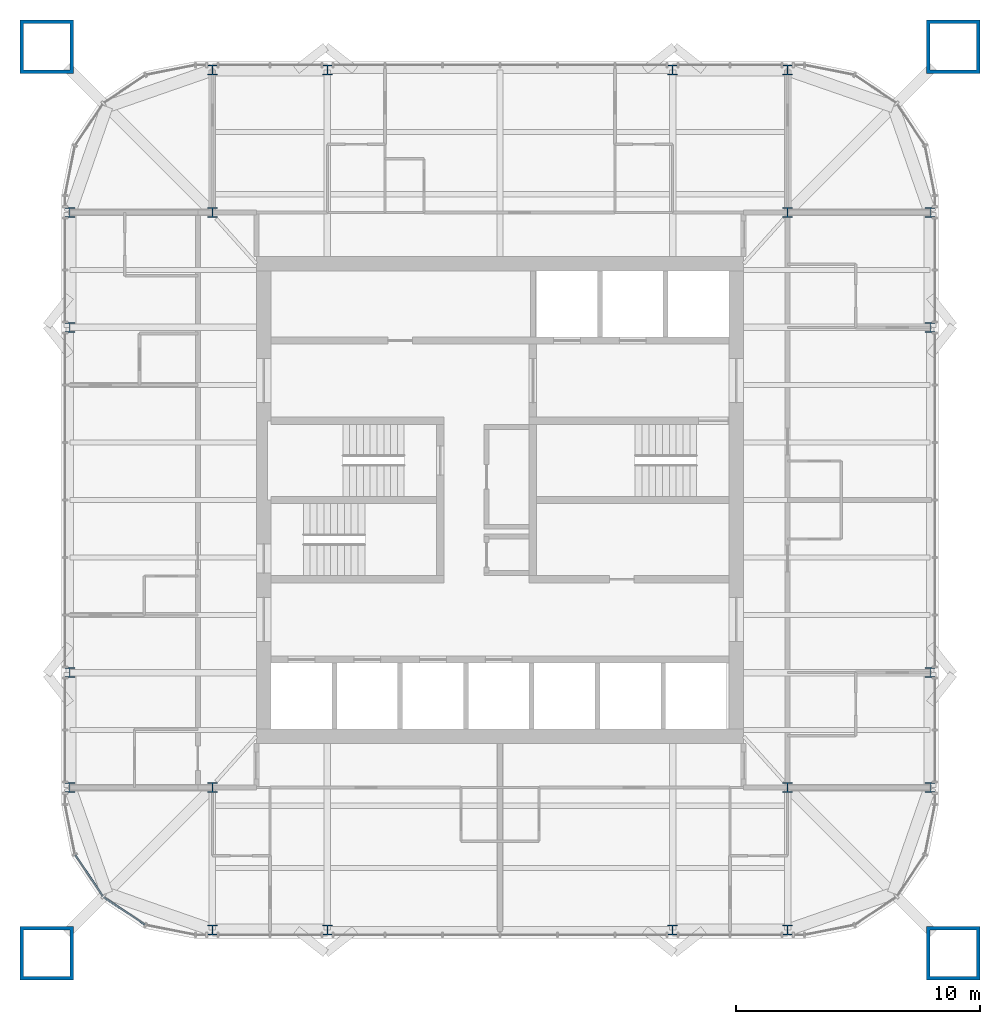
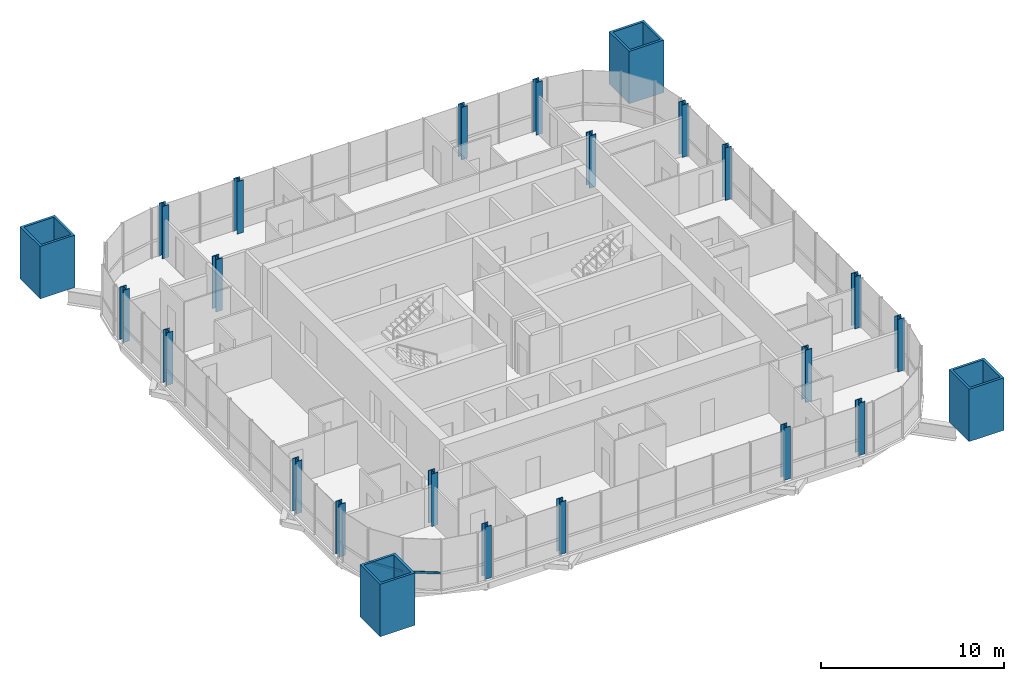
# One storey, part 1 of 17: 24 columns, 2 members, 1 element without a shape of its own.
"""IFC4 building model written with IfcOpenShell, lengths in metres."""

from ifc_helpers import new_model, si_unit, direction, frame, origin, origin_2d, place, context, subcontext, project, spatial, rectangle, hollow_rectangle, i_section, extrude, material, material_profile, profile_set, type_object, element, aggregate, save


model = new_model("IFC4")

# Units and contexts
model_context = context("Model", 3, precision=1e-05, world=origin(), true_north=direction((0.0, 1.0)))
body_context = subcontext(model_context, "Body", "Model", "MODEL_VIEW")
ifc_project = project(units=[si_unit("LENGTHUNIT", "METRE"), si_unit("AREAUNIT", "SQUARE_METRE"), si_unit("VOLUMEUNIT", "CUBIC_METRE"), si_unit("PLANEANGLEUNIT", "RADIAN"), si_unit("MASSUNIT", "GRAM", prefix="KILO")], contexts=[model_context])

# Site, building, storey
site_placement = place(None, origin())
site = spatial("IfcSite", under=ifc_project, at=site_placement, CompositionType="ELEMENT")
building_placement = place(site_placement, origin())
building = spatial("IfcBuilding", under=site, at=building_placement, Name="Turquesa Mirador Hotel Tower", CompositionType="ELEMENT")
storey_placement = place(building_placement, frame((0.0, 0.0, 240.699951171875)))
storey = spatial("IfcBuildingStorey", under=building, at=storey_placement, Name="L65", CompositionType="ELEMENT", Elevation=240.699951171875)

# Columns
ifc_material_1 = material(Name="Steel ASTM A992 Grade 50", Category="steel")
ifc_material_profile_1 = material_profile(ifc_material_1, i_section(OverallWidth=0.398681640625, OverallDepth=0.393798828125, WebThickness=0.022705078125, FlangeThickness=0.03662109375, at=origin_2d()), Name="W14X193")
ifc_profile_set_1 = profile_set([ifc_material_profile_1], Name="Steel ASTM A992 Grade 50")
column_type_1 = type_object("IfcColumnType", Name="COLUMN W14X193", PredefinedType="COLUMN", material=ifc_profile_set_1)
for number, where, z_axis, x_axis, name in (
    (1, (37.35009765625, 33.199951171875, 0.0), (0.0, 0.0, 1.0), (1.0, 0.0, 0.0), "COL-L65-P--17.65--11.80"),
    (2, (37.35009765625, 37.919921875, 0.0), (0.0, 0.0, 1.0), (1.0, 0.0, 0.0), "COL-L65-P--17.65--7.08"),
    (3, (37.35009765625, 52.080078125, 0.0), (0.0, 0.0, 1.0), (1.0, 0.0, 0.0), "COL-L65-P--17.65-+7.08"),
    (4, (37.35009765625, 56.800048828125, 0.0), (0.0, 0.0, 1.0), (1.0, 0.0, 0.0), "COL-L65-P--17.65-+11.80"),
    (5, (43.199951171875, 27.35009765625, 0.0), (0.0, 0.0, 1.0), (1.0, 0.0, 0.0), "COL-L65-P--11.80--17.65"),
    (6, (43.199951171875, 62.64990234375, 0.0), (0.0, 0.0, 1.0), (1.0, 0.0, 0.0), "COL-L65-P--11.80-+17.65"),
    (7, (47.919921875, 27.35009765625, 0.0), (0.0, 0.0, 1.0), (1.0, 0.0, 0.0), "COL-L65-P--7.08--17.65"),
    (8, (47.919921875, 62.64990234375, 0.0), (0.0, 0.0, 1.0), (1.0, 0.0, 0.0), "COL-L65-P--7.08-+17.65"),
    (9, (62.080078125, 27.35009765625, 0.0), (0.0, 0.0, 1.0), (1.0, 0.0, 0.0), "COL-L65-P-+7.08--17.65"),
    (10, (62.080078125, 62.64990234375, 0.0), (0.0, 0.0, 1.0), (1.0, 0.0, 0.0), "COL-L65-P-+7.08-+17.65"),
    (11, (66.800048828125, 27.35009765625, 0.0), (0.0, 0.0, 1.0), (1.0, 0.0, 0.0), "COL-L65-P-+11.80--17.65"),
    (12, (66.800048828125, 62.64990234375, 0.0), (0.0, 0.0, 1.0), (1.0, 0.0, 0.0), "COL-L65-P-+11.80-+17.65"),
    (13, (72.64990234375, 33.199951171875, 0.0), (0.0, 0.0, 1.0), (1.0, 0.0, 0.0), "COL-L65-P-+17.65--11.80"),
    (14, (72.64990234375, 37.919921875, 0.0), (0.0, 0.0, 1.0), (1.0, 0.0, 0.0), "COL-L65-P-+17.65--7.08"),
    (15, (72.64990234375, 52.080078125, 0.0), (0.0, 0.0, 1.0), (1.0, 0.0, 0.0), "COL-L65-P-+17.65-+7.08"),
    (16, (72.64990234375, 56.800048828125, 0.0), (0.0, 0.0, 1.0), (1.0, 0.0, 0.0), "COL-L65-P-+17.65-+11.80"),
):
    element("IfcColumn", number, at=place(storey_placement, frame(where, z_axis=z_axis, x_axis=x_axis)), inside=storey, type_object=column_type_1, Name=name, PredefinedType="COLUMN", context=body_context, shape_type="SweptSolid", body=[
        extrude(i_section(OverallWidth=0.398681640625, OverallDepth=0.393798828125, WebThickness=0.022705078125, FlangeThickness=0.03662109375, at=origin_2d()), origin(), (0.0, 0.0, 1.0), 3.5),
    ])
ifc_material_2 = material(Name="Steel ASTM A992 Grade 50", Category="steel")
ifc_material_profile_2 = material_profile(ifc_material_2, i_section(OverallWidth=0.406494140625, OverallDepth=0.41650390625, WebThickness=0.030029296875, FlangeThickness=0.048095703125, at=origin_2d()), Name="W14X257")
ifc_profile_set_2 = profile_set([ifc_material_profile_2], Name="Steel ASTM A992 Grade 50")
column_type_2 = type_object("IfcColumnType", Name="COLUMN W14X257", PredefinedType="COLUMN", material=ifc_profile_set_2)
for number, where, z_axis, x_axis, name in (
    (17, (43.199951171875, 33.199951171875, 0.0), (0.0, 0.0, 1.0), (1.0, 0.0, 0.0), "COL-L65-K--11.80--11.80"),
    (18, (43.199951171875, 56.800048828125, 0.0), (0.0, 0.0, 1.0), (1.0, 0.0, 0.0), "COL-L65-K--11.80-+11.80"),
    (19, (66.800048828125, 33.199951171875, 0.0), (0.0, 0.0, 1.0), (1.0, 0.0, 0.0), "COL-L65-K-+11.80--11.80"),
    (20, (66.800048828125, 56.800048828125, 0.0), (0.0, 0.0, 1.0), (1.0, 0.0, 0.0), "COL-L65-K-+11.80-+11.80"),
):
    element("IfcColumn", number, at=place(storey_placement, frame(where, z_axis=z_axis, x_axis=x_axis)), inside=storey, type_object=column_type_2, Name=name, PredefinedType="COLUMN", context=body_context, shape_type="SweptSolid", body=[
        extrude(i_section(OverallWidth=0.406494140625, OverallDepth=0.41650390625, WebThickness=0.030029296875, FlangeThickness=0.048095703125, at=origin_2d()), origin(), (0.0, 0.0, 1.0), 3.5),
    ])
ifc_material_3 = material(Name="Steel ASTM A514 Grade Q", Category="steel")
ifc_material_profile_3 = material_profile(ifc_material_3, hollow_rectangle(XDim=2.199951171875, YDim=2.199951171875, WallThickness=0.14990234375, at=origin_2d()), Name="BOX2200X2200X150")
ifc_profile_set_3 = profile_set([ifc_material_profile_3], Name="Steel ASTM A514 Grade Q")
column_type_3 = type_object("IfcColumnType", Name="MEGA COLUMN BOX2200X2200X150", PredefinedType="COLUMN", material=ifc_profile_set_3)
for number, where, z_axis, x_axis, name in (
    (21, (73.60009765625, 63.60009765625, 0.0), (0.0, 0.0, 1.0), (1.0, 0.0, 0.0), "Mega column M1"),
    (22, (36.39990234375, 63.60009765625, 0.0), (0.0, 0.0, 1.0), (1.0, 0.0, 0.0), "Mega column M2"),
    (23, (36.39990234375, 26.39990234375, 0.0), (0.0, 0.0, 1.0), (1.0, 0.0, 0.0), "Mega column M3"),
    (24, (73.60009765625, 26.39990234375, 0.0), (0.0, 0.0, 1.0), (1.0, 0.0, 0.0), "Mega column M4"),
):
    element("IfcColumn", number, at=place(storey_placement, frame(where, z_axis=z_axis, x_axis=x_axis)), inside=storey, type_object=column_type_3, Name=name, PredefinedType="COLUMN", context=body_context, shape_type="SweptSolid", body=[
        extrude(hollow_rectangle(XDim=2.199951171875, YDim=2.199951171875, WallThickness=0.14990234375, at=origin_2d()), origin(), (0.0, 0.0, 1.0), 3.5),
    ])

# Curtain wall, members
ifc_material_4 = material(Name="Aluminium extrusion", Category="aluminium")
curtain_wall_type = type_object("IfcCurtainWallType", Name="CW-4 SUITE FRITTED CURTAIN WALL", PredefinedType="USERDEFINED", material=ifc_material_4)
curtain_wall_placement = place(storey_placement, origin())
curtain_wall = element("IfcCurtainWall", 25, at=curtain_wall_placement, inside=storey, type_object=curtain_wall_type, Name="CW-4 SUITE FRITTED CURTAIN WALL L65", ObjectType="CURTAIN WALL", PredefinedType="USERDEFINED")
ifc_material_5 = material(Name="Aluminium extrusion", Category="aluminium")
ifc_material_profile_4 = material_profile(ifc_material_5, rectangle(XDim=0.06494140625, YDim=0.14990234375, at=origin_2d()), Name="TRANSOM 65X150")
ifc_profile_set_4 = profile_set([ifc_material_profile_4], Name="Aluminium extrusion")
member_type = type_object("IfcMemberType", Name="CW TRANSOM 65X150", PredefinedType="USERDEFINED", material=ifc_profile_set_4)
member_1_placement = place(storey_placement, frame((37.5751953125, 30.425537109375, 1.10009765625), z_axis=(0.555619095835, -0.831436961136, 0.0), x_axis=(0.831436961136, 0.555619095835, 0.0)))
member_1 = element("IfcMember", 26, at=member_1_placement, type_object=member_type, Name="Transom", ObjectType="TRANSOM", PredefinedType="USERDEFINED", context=body_context, shape_type="SweptSolid", body=[
    extrude(rectangle(XDim=0.06494140625, YDim=0.14990234375, at=origin_2d()), origin(), (0.0, 0.0, 1.0), 2.0224609375),
])
member_2_placement = place(storey_placement, frame((38.743896484375, 28.698974609375, 1.10009765625), z_axis=(0.831436961136, -0.555619095835, 0.0), x_axis=(0.555619095835, 0.831436961136, 0.0)))
member_2 = element("IfcMember", 27, at=member_2_placement, type_object=member_type, Name="Transom", ObjectType="TRANSOM", PredefinedType="USERDEFINED", context=body_context, shape_type="SweptSolid", body=[
    extrude(rectangle(XDim=0.06494140625, YDim=0.14990234375, at=origin_2d()), origin(), (0.0, 0.0, 1.0), 2.0224609375),
])
aggregate(curtain_wall, [member_1, member_2])

save(model, "model.ifc")
